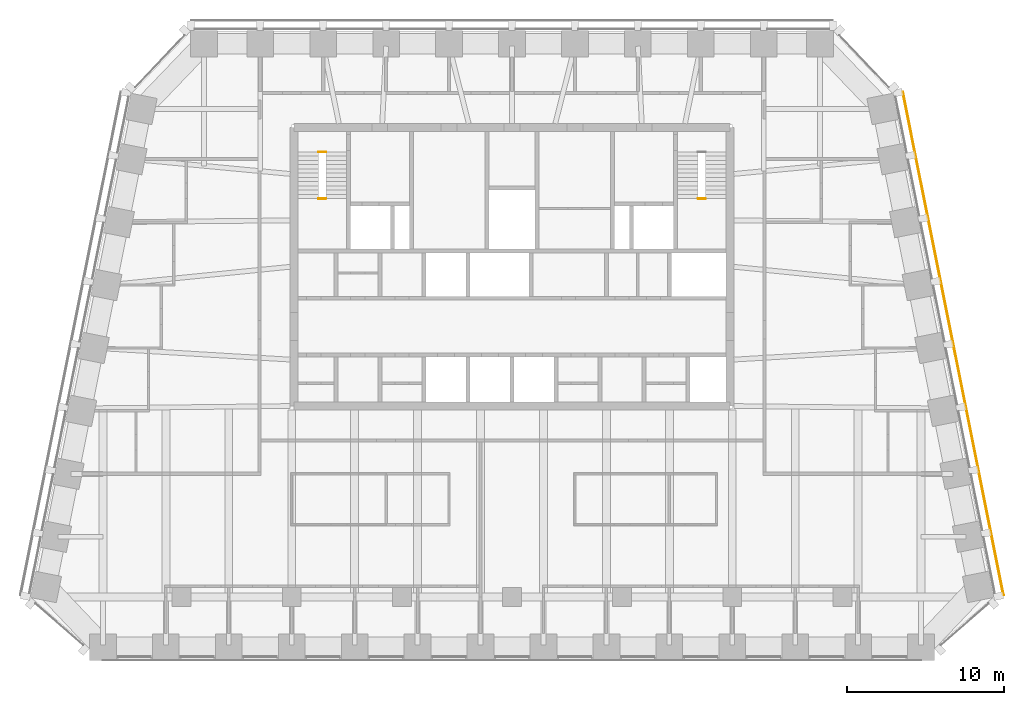
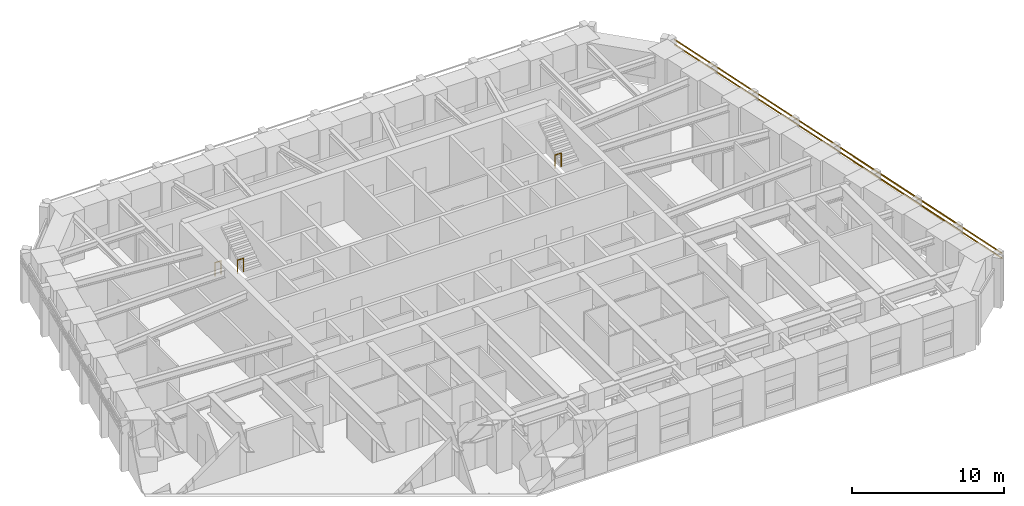
# One storey, part 12 of 13: 3 railings, 2 shading devices.
"""IFC4 building model written with IfcOpenShell, lengths in metres."""

from ifc_helpers import new_model, si_unit, direction, frame, origin, origin_2d, place, context, subcontext, project, spatial, rectangle, circle, extrude, material, material_profile, profile_set, type_object, element, save


model = new_model("IFC4")

# Units and contexts
model_context = context("Model", 3, precision=1e-05, world=origin(), true_north=direction((0.0, 1.0)))
body_context = subcontext(model_context, "Body", "Model", "MODEL_VIEW")
ifc_project = project(units=[si_unit("LENGTHUNIT", "METRE"), si_unit("AREAUNIT", "SQUARE_METRE"), si_unit("VOLUMEUNIT", "CUBIC_METRE"), si_unit("PLANEANGLEUNIT", "RADIAN"), si_unit("MASSUNIT", "GRAM", prefix="KILO")], contexts=[model_context])

# Site, building, storey
site_placement = place(None, origin())
site = spatial("IfcSite", under=ifc_project, at=site_placement, CompositionType="ELEMENT")
building_placement = place(site_placement, origin())
building = spatial("IfcBuilding", under=site, at=building_placement, Name="Isbrekke Arena Tower", CompositionType="ELEMENT")
storey_placement = place(building_placement, frame((0.0, 0.0, 280.0)))
storey = spatial("IfcBuildingStorey", under=building, at=storey_placement, Name="L65", CompositionType="ELEMENT", Elevation=280.0)

# Shading devices
ifc_material_1 = material(Name="Terracotta", Category="masonry")
ifc_material_profile = material_profile(ifc_material_1, rectangle(XDim=0.06005859375, YDim=0.06005859375, at=origin_2d()), Name="BAGUETTE 60X60")
ifc_profile_set = profile_set([ifc_material_profile], Name="Terracotta")
shading_device_type = type_object("IfcShadingDeviceType", Name="BG1 TERRACOTTA BAGUETTE 60 x 60", PredefinedType="USERDEFINED", material=ifc_profile_set)
for number, where, z_axis, x_axis, name in (
    (1, (31.2421875, -5.87158203125, 3.280029296875), (-0.196113257737, 0.980581251167, 0.0), (-0.980581251167, -0.196113257737, 0.0), "BG1 terracotta baguette E1 L65"),
    (2, (31.2421875, -5.87158203125, 3.679931640625), (-0.196113257737, 0.980581251167, 0.0), (-0.980581251167, -0.196113257737, 0.0), "BG1 terracotta baguette E2 L65"),
):
    element("IfcShadingDevice", number, at=place(storey_placement, frame(where, z_axis=z_axis, x_axis=x_axis)), inside=storey, type_object=shading_device_type, Name=name, ObjectType="TERRACOTTA BAGUETTE", PredefinedType="USERDEFINED", context=body_context, shape_type="SweptSolid", body=[
        extrude(rectangle(XDim=0.06005859375, YDim=0.06005859375, at=origin_2d()), origin(), (0.0, 0.0, 1.0), 32.6337890625),
    ])

# Railings
ifc_material_2 = material(Name="Steel stair guard, vertical bars, steel handrail", Category="steel")
railing_type = type_object("IfcRailingType", Name="GR3 STAIR WELL GUARD 1100", PredefinedType="GUARDRAIL", material=ifc_material_2)
for number, where, name in (
    (3, (-12.300048828125, 22.300048828125, 0.0), "GR3 stair well guard ST1 L65"),
    (4, (-12.300048828125, 19.330078125, 2.0), "GR3 stair well guard ST1 L65"),
    (5, (11.824951171875, 19.330078125, 2.0), "GR3 stair well guard ST2 L65"),
):
    element("IfcRailing", number, at=place(storey_placement, frame(where)), inside=storey, type_object=railing_type, Name=name, PredefinedType="GUARDRAIL", context=body_context, shape_type="SweptSolid", body=[
        extrude(circle(Radius=0.02392578125, at=origin_2d()), frame((0.0, 0.0, 1.076171875), z_axis=(1.0, 0.0, 0.0), x_axis=(0.0, 1.0, 0.0)), (0.0, 0.0, 1.0), 0.47509765625),
        extrude(circle(Radius=0.02099609375, at=origin_2d()), origin(), (0.0, 0.0, 1.0), 1.052001953125),
        extrude(circle(Radius=0.02099609375, at=origin_2d()), frame((0.47509765625, 0.0, 0.0)), (0.0, 0.0, 1.0), 1.052001953125),
    ])

save(model, "model.ifc")
